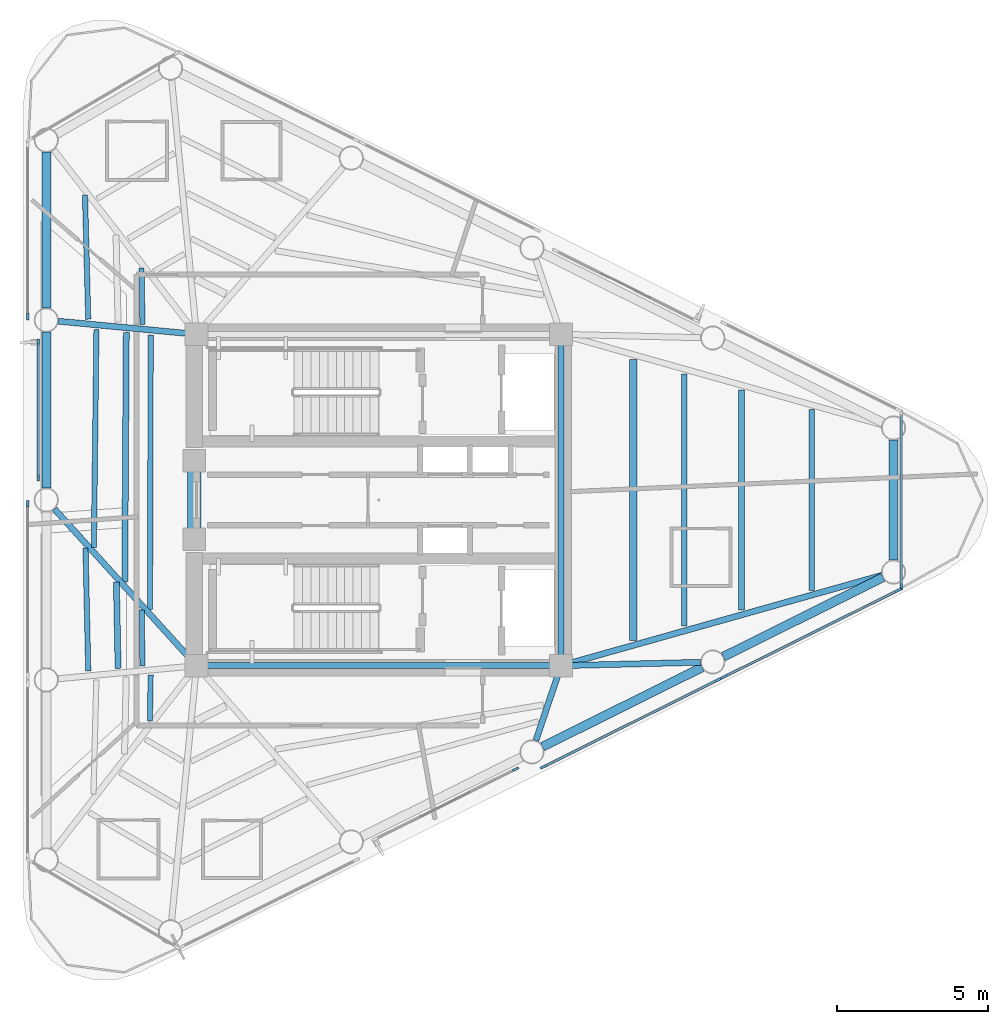
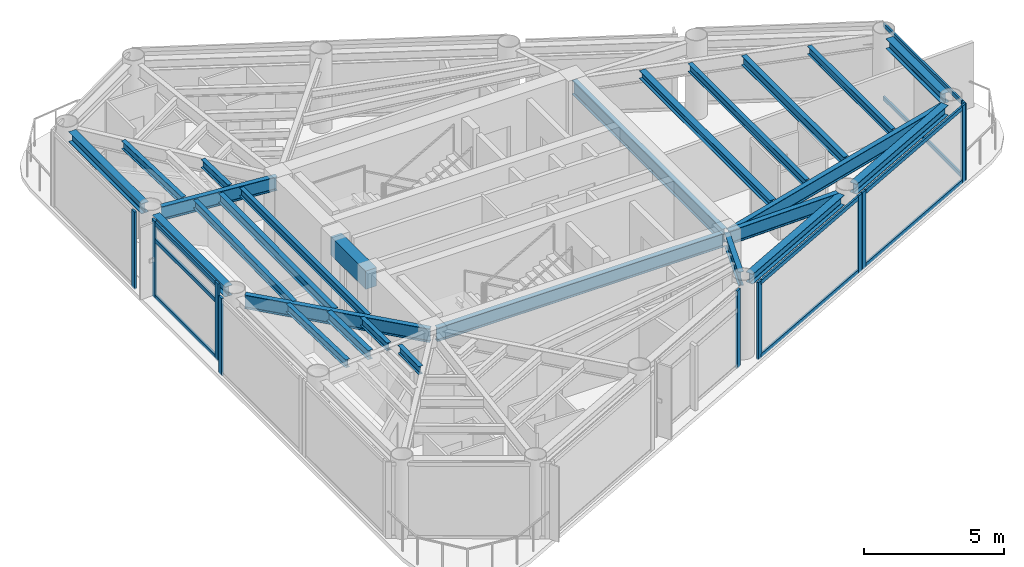
# One storey, part 2 of 10: 26 beams, 19 members, 7 elements without a shape of their own.
"""IFC4 building model written with IfcOpenShell, lengths in metres."""

from ifc_helpers import new_model, si_unit, direction, frame, origin, origin_2d, place, context, subcontext, project, spatial, rectangle, i_section, extrude, source, transform, mapped, material, layer, layer_set, material_profile, profile_set, type_object, element, aggregate, save


model = new_model("IFC4")

# Units and contexts
model_context = context("Model", 3, precision=1e-05, world=origin(), true_north=direction((0.0, 1.0)))
body_context = subcontext(model_context, "Body", "Model", "MODEL_VIEW")
ifc_project = project(units=[si_unit("LENGTHUNIT", "METRE"), si_unit("AREAUNIT", "SQUARE_METRE"), si_unit("VOLUMEUNIT", "CUBIC_METRE"), si_unit("PLANEANGLEUNIT", "RADIAN"), si_unit("MASSUNIT", "GRAM", prefix="KILO")], contexts=[model_context])

# Site, building, storey
site_placement = place(None, origin())
site = spatial("IfcSite", under=ifc_project, at=site_placement, CompositionType="ELEMENT")
building_placement = place(site_placement, origin())
building = spatial("IfcBuilding", under=site, at=building_placement, Name="Yunling Apex Tower", CompositionType="ELEMENT")
storey_placement = place(building_placement, frame((0.0, 0.0, 300.199951171875)))
storey = spatial("IfcBuildingStorey", under=building, at=storey_placement, Name="L73", CompositionType="ELEMENT", Elevation=300.199951171875)

# Beams
ifc_material_1 = material(Name="Concrete C40", Category="concrete")
ifc_material_profile_1 = material_profile(ifc_material_1, rectangle(XDim=0.449951171875, YDim=0.800048828125, at=origin_2d()))
ifc_profile_set_1 = profile_set([ifc_material_profile_1], Name="Concrete C40")
beam_type_1 = type_object("IfcBeamType", Name="BC-CPL-3", PredefinedType="BEAM", material=ifc_profile_set_1)
shared_shape_1 = source(origin(), body_context, "Body", "SweptSolid", [
    extrude(rectangle(XDim=0.449951171875, YDim=0.800048828125, at=origin_2d()), origin(), (0.0, 0.0, 1.0), 2.5),
])
beam_1_placement = place(storey_placement, frame((-6.125, -1.25, 2.8701171875), z_axis=(0.0, 1.0, 0.0), x_axis=(-1.0, 0.0, 0.0)))
element("IfcBeam", 1, at=beam_1_placement, inside=storey, type_object=beam_type_1, Name="L73 Core West Portal Coupling Beam", PredefinedType="BEAM", context=body_context, shape_type="MappedRepresentation", body=[
    mapped(shared_shape_1, transform((0.0, 0.0, 0.0), scale=1.0)),
])
ifc_material_2 = material(Name="Steel Q355B", Category="steel")
ifc_material_profile_2 = material_profile(ifc_material_2, i_section(OverallWidth=0.199951171875, OverallDepth=0.60009765625, WebThickness=0.010986328125, FlangeThickness=0.01708984375, FilletRadius=0.02197265625, at=origin_2d()))
ifc_profile_set_2 = profile_set([ifc_material_profile_2], Name="Steel Q355B")
beam_type_2 = type_object("IfcBeamType", Name="BG-PRI-5", PredefinedType="USERDEFINED", material=ifc_profile_set_2)
shared_shape_2 = source(origin(), body_context, "Body", "SweptSolid", [
    extrude(i_section(OverallWidth=0.199951171875, OverallDepth=0.60009765625, WebThickness=0.010986328125, FlangeThickness=0.01708984375, FilletRadius=0.02197265625, at=origin_2d()), origin(), (0.0, 0.0, 1.0), 11.7998046875),
])
beam_2_placement = place(storey_placement, frame((-5.89990234375, -5.5, 2.969970703125), z_axis=(1.0, 0.0, 0.0), x_axis=(0.0, 1.0, 0.0)))
element("IfcBeam", 2, at=beam_2_placement, inside=storey, type_object=beam_type_2, Name="L73 Core Ring Tie Beam 1", ObjectType="GIRDER", PredefinedType="USERDEFINED", context=body_context, shape_type="MappedRepresentation", body=[
    mapped(shared_shape_2, transform((0.0, 0.0, 0.0), scale=1.0)),
])
shared_shape_3 = source(origin(), body_context, "Body", "SweptSolid", [
    extrude(i_section(OverallWidth=0.199951171875, OverallDepth=0.60009765625, WebThickness=0.010986328125, FlangeThickness=0.01708984375, FilletRadius=0.02197265625, at=origin_2d()), origin(), (0.0, 0.0, 1.0), 10.7001953125),
])
beam_3_placement = place(storey_placement, frame((6.050048828125, -5.35009765625, 2.969970703125), z_axis=(0.0, 1.0, 0.0), x_axis=(-1.0, 0.0, 0.0)))
element("IfcBeam", 3, at=beam_3_placement, inside=storey, type_object=beam_type_2, Name="L73 Core Ring Tie Beam 2", ObjectType="GIRDER", PredefinedType="USERDEFINED", context=body_context, shape_type="MappedRepresentation", body=[
    mapped(shared_shape_3, transform((0.0, 0.0, 0.0), scale=1.0)),
])
ifc_material_profile_3 = material_profile(ifc_material_2, i_section(OverallWidth=0.300048828125, OverallDepth=0.43994140625, WebThickness=0.010986328125, FlangeThickness=0.01806640625, FilletRadius=0.02197265625, at=origin_2d()))
ifc_profile_set_3 = profile_set([ifc_material_profile_3], Name="Steel Q355B")
beam_type_3 = type_object("IfcBeamType", Name="BP-SPN-3", PredefinedType="SPANDREL", material=ifc_profile_set_3)
shared_shape_4 = source(origin(), body_context, "Body", "SweptSolid", [
    extrude(i_section(OverallWidth=0.300048828125, OverallDepth=0.43994140625, WebThickness=0.010986328125, FlangeThickness=0.01806640625, FilletRadius=0.02197265625, at=origin_2d()), origin(), (0.0, 0.0, 1.0), 5.9140625),
])
for number, where, z_axis, x_axis, name in (
    (4, (5.43896484375, -8.1884765625, 3.050048828125), (0.895259510924, 0.445545068539, 0.0), (-0.445545068539, 0.895259510924, 0.0), "L73 Perimeter Spandrel Beam 3"),
    (5, (11.439208984375, -5.2021484375, 3.050048828125), (0.895259510924, 0.445545068539, 0.0), (-0.445545068539, 0.895259510924, 0.0), "L73 Perimeter Spandrel Beam 4"),
):
    element("IfcBeam", number, at=place(storey_placement, frame(where, z_axis=z_axis, x_axis=x_axis)), inside=storey, type_object=beam_type_3, Name=name, PredefinedType="SPANDREL", context=body_context, shape_type="MappedRepresentation", body=[
        mapped(shared_shape_4, transform((0.0, 0.0, 0.0), scale=1.0)),
    ])
shared_shape_5 = source(origin(), body_context, "Body", "SweptSolid", [
    extrude(i_section(OverallWidth=0.300048828125, OverallDepth=0.43994140625, WebThickness=0.010986328125, FlangeThickness=0.01806640625, FilletRadius=0.02197265625, at=origin_2d()), origin(), (0.0, 0.0, 1.0), 3.9951171875),
])
beam_4_placement = place(storey_placement, frame((17.086669921875, -1.99755859375, 3.050048828125), z_axis=(0.0, 1.0, 0.0), x_axis=(-1.0, 0.0, 0.0)))
element("IfcBeam", 6, at=beam_4_placement, inside=storey, type_object=beam_type_3, Name="L73 Perimeter Spandrel Beam 5", PredefinedType="SPANDREL", context=body_context, shape_type="MappedRepresentation", body=[
    mapped(shared_shape_5, transform((0.0, 0.0, 0.0), scale=1.0)),
])
shared_shape_6 = source(origin(), body_context, "Body", "SweptSolid", [
    extrude(i_section(OverallWidth=0.300048828125, OverallDepth=0.43994140625, WebThickness=0.010986328125, FlangeThickness=0.01806640625, FilletRadius=0.02197265625, at=origin_2d()), origin(), (0.0, 0.0, 1.0), 5.1845703125),
])
for number, where, z_axis, x_axis, name in (
    (7, (-11.037353515625, 11.55126953125, 3.050048828125), (0.0, -1.0, 0.0), (1.0, 0.0, 0.0), "L73 Perimeter Spandrel Beam 11"),
    (8, (-11.037353515625, 5.57861328125, 3.050048828125), (0.0, -1.0, 0.0), (1.0, 0.0, 0.0), "L73 Perimeter Spandrel Beam 12"),
):
    element("IfcBeam", number, at=place(storey_placement, frame(where, z_axis=z_axis, x_axis=x_axis)), inside=storey, type_object=beam_type_3, Name=name, PredefinedType="SPANDREL", context=body_context, shape_type="MappedRepresentation", body=[
        mapped(shared_shape_6, transform((0.0, 0.0, 0.0), scale=1.0)),
    ])
shared_shape_7 = source(origin(), body_context, "Body", "SweptSolid", [
    extrude(i_section(OverallWidth=0.199951171875, OverallDepth=0.60009765625, WebThickness=0.010986328125, FlangeThickness=0.01708984375, FilletRadius=0.02197265625, at=origin_2d()), origin(), (0.0, 0.0, 1.0), 2.533935546875),
])
beam_5_placement = place(storey_placement, frame((5.21630859375, -7.977294921875, 2.969970703125), z_axis=(0.318914628896, 0.947783445454, 0.0), x_axis=(-0.947783445454, 0.318914628896, 0.0)))
element("IfcBeam", 9, at=beam_5_placement, inside=storey, type_object=beam_type_2, Name="L73 Radial Primary Girder R03", ObjectType="GIRDER", PredefinedType="USERDEFINED", context=body_context, shape_type="MappedRepresentation", body=[
    mapped(shared_shape_7, transform((0.0, 0.0, 0.0), scale=1.0)),
])
shared_shape_8 = source(origin(), body_context, "Body", "SweptSolid", [
    extrude(i_section(OverallWidth=0.199951171875, OverallDepth=0.60009765625, WebThickness=0.010986328125, FlangeThickness=0.01708984375, FilletRadius=0.02197265625, at=origin_2d()), origin(), (0.0, 0.0, 1.0), 4.5498046875),
])
beam_6_placement = place(storey_placement, frame((10.678466796875, -5.3876953125, 2.969970703125), z_axis=(-0.999705840498, -0.024253504369, 0.0), x_axis=(0.024253504369, -0.999705840498, 0.0)))
element("IfcBeam", 10, at=beam_6_placement, inside=storey, type_object=beam_type_2, Name="L73 Radial Primary Girder R04", ObjectType="GIRDER", PredefinedType="USERDEFINED", context=body_context, shape_type="MappedRepresentation", body=[
    mapped(shared_shape_8, transform((0.0, 0.0, 0.0), scale=1.0)),
])
shared_shape_9 = source(origin(), body_context, "Body", "SweptSolid", [
    extrude(i_section(OverallWidth=0.199951171875, OverallDepth=0.60009765625, WebThickness=0.010986328125, FlangeThickness=0.01708984375, FilletRadius=0.02197265625, at=origin_2d()), origin(), (0.0, 0.0, 1.0), 10.97802734375),
])
beam_7_placement = place(storey_placement, frame((16.69384765625, -2.502197265625, 2.969970703125), z_axis=(-0.962552702816, -0.271094622414, 0.0), x_axis=(0.271094622414, -0.962552702816, 0.0)))
element("IfcBeam", 11, at=beam_7_placement, inside=storey, type_object=beam_type_2, Name="L73 Radial Primary Girder R05", ObjectType="GIRDER", PredefinedType="USERDEFINED", context=body_context, shape_type="MappedRepresentation", body=[
    mapped(shared_shape_9, transform((0.0, 0.0, 0.0), scale=1.0)),
])
shared_shape_10 = source(origin(), body_context, "Body", "SweptSolid", [
    extrude(i_section(OverallWidth=0.199951171875, OverallDepth=0.60009765625, WebThickness=0.010986328125, FlangeThickness=0.01708984375, FilletRadius=0.02197265625, at=origin_2d()), origin(), (0.0, 0.0, 1.0), 4.521728515625),
])
beam_8_placement = place(storey_placement, frame((-10.631103515625, 5.93408203125, 2.969970703125), z_axis=(0.99554122067, -0.094327503661, 0.0), x_axis=(0.094327503661, 0.99554122067, 0.0)))
element("IfcBeam", 12, at=beam_8_placement, inside=storey, type_object=beam_type_2, Name="L73 Radial Primary Girder R12", ObjectType="GIRDER", PredefinedType="USERDEFINED", context=body_context, shape_type="MappedRepresentation", body=[
    mapped(shared_shape_10, transform((0.0, 0.0, 0.0), scale=1.0)),
])
shared_shape_11 = source(origin(), body_context, "Body", "SweptSolid", [
    extrude(i_section(OverallWidth=0.199951171875, OverallDepth=0.60009765625, WebThickness=0.010986328125, FlangeThickness=0.01708984375, FilletRadius=0.02197265625, at=origin_2d()), origin(), (0.0, 0.0, 1.0), 6.9365234375),
])
beam_9_placement = place(storey_placement, frame((-10.76318359375, -0.30224609375, 2.969970703125), z_axis=(0.671734994532, -0.740791534185, 0.0), x_axis=(0.740791534185, 0.671734994532, 0.0)))
element("IfcBeam", 13, at=beam_9_placement, inside=storey, type_object=beam_type_2, Name="L73 Radial Primary Girder R13", ObjectType="GIRDER", PredefinedType="USERDEFINED", context=body_context, shape_type="MappedRepresentation", body=[
    mapped(shared_shape_11, transform((0.0, 0.0, 0.0), scale=1.0)),
])
ifc_material_profile_4 = material_profile(ifc_material_2, i_section(OverallWidth=0.199951171875, OverallDepth=0.39990234375, WebThickness=0.008056640625, FlangeThickness=0.012939453125, FilletRadius=0.01611328125, at=origin_2d()))
ifc_profile_set_4 = profile_set([ifc_material_profile_4], Name="Steel Q355B")
beam_type_4 = type_object("IfcBeamType", Name="BS-SEC-4", PredefinedType="BEAM", material=ifc_profile_set_4)
shared_shape_12 = source(origin(), body_context, "Body", "SweptSolid", [
    extrude(i_section(OverallWidth=0.199951171875, OverallDepth=0.39990234375, WebThickness=0.008056640625, FlangeThickness=0.012939453125, FilletRadius=0.01611328125, at=origin_2d()), origin(), (0.0, 0.0, 1.0), 7.30322265625),
])
beam_10_placement = place(storey_placement, frame((12.04443359375, -3.651611328125, 3.070068359375), z_axis=(0.0, 1.0, 0.0), x_axis=(-1.0, 0.0, 0.0)))
element("IfcBeam", 14, at=beam_10_placement, inside=storey, type_object=beam_type_4, Name="L73 Composite Floor Beam BS-5", PredefinedType="BEAM", context=body_context, shape_type="MappedRepresentation", body=[
    mapped(shared_shape_12, transform((0.0, 0.0, 0.0), scale=1.0)),
])
ifc_material_profile_5 = material_profile(ifc_material_2, i_section(OverallWidth=0.175048828125, OverallDepth=0.35009765625, WebThickness=0.007080078125, FlangeThickness=0.010986328125, FilletRadius=0.013916015625, at=origin_2d()))
ifc_profile_set_5 = profile_set([ifc_material_profile_5], Name="Steel Q355B")
beam_type_5 = type_object("IfcBeamType", Name="BJ-JST-1", PredefinedType="JOIST", material=ifc_profile_set_5)
shared_shape_13 = source(origin(), body_context, "Body", "SweptSolid", [
    extrude(i_section(OverallWidth=0.175048828125, OverallDepth=0.35009765625, WebThickness=0.007080078125, FlangeThickness=0.010986328125, FilletRadius=0.013916015625, at=origin_2d()), origin(), (0.0, 0.0, 1.0), 5.99365234375),
])
beam_11_placement = place(storey_placement, frame((14.369140625, -2.996826171875, 3.094970703125), z_axis=(0.0, 1.0, 0.0), x_axis=(-1.0, 0.0, 0.0)))
element("IfcBeam", 15, at=beam_11_placement, inside=storey, type_object=beam_type_5, Name="L73 Composite Floor Joist BJ1-5", PredefinedType="JOIST", context=body_context, shape_type="MappedRepresentation", body=[
    mapped(shared_shape_13, transform((0.0, 0.0, 0.0), scale=1.0)),
])
shared_shape_14 = source(origin(), body_context, "Body", "SweptSolid", [
    extrude(i_section(OverallWidth=0.175048828125, OverallDepth=0.35009765625, WebThickness=0.007080078125, FlangeThickness=0.010986328125, FilletRadius=0.013916015625, at=origin_2d()), origin(), (0.0, 0.0, 1.0), 8.37451171875),
])
beam_12_placement = place(storey_placement, frame((10.142333984375, -4.187255859375, 3.094970703125), z_axis=(0.0, 1.0, 0.0), x_axis=(-1.0, 0.0, 0.0)))
element("IfcBeam", 16, at=beam_12_placement, inside=storey, type_object=beam_type_5, Name="L73 Composite Floor Joist BJ3-5", PredefinedType="JOIST", context=body_context, shape_type="MappedRepresentation", body=[
    mapped(shared_shape_14, transform((0.0, 0.0, 0.0), scale=1.0)),
])
ifc_material_profile_6 = material_profile(ifc_material_2, i_section(OverallWidth=0.25, OverallDepth=0.340087890625, WebThickness=0.009033203125, FlangeThickness=0.013916015625, FilletRadius=0.01806640625, at=origin_2d()))
ifc_profile_set_6 = profile_set([ifc_material_profile_6], Name="Steel Q355B")
beam_type_6 = type_object("IfcBeamType", Name="BJ-JST-2", PredefinedType="JOIST", material=ifc_profile_set_6)
shared_shape_15 = source(origin(), body_context, "Body", "SweptSolid", [
    extrude(i_section(OverallWidth=0.25, OverallDepth=0.340087890625, WebThickness=0.009033203125, FlangeThickness=0.013916015625, FilletRadius=0.01806640625, at=origin_2d()), origin(), (0.0, 0.0, 1.0), 9.3271484375),
])
beam_13_placement = place(storey_placement, frame((8.45166015625, -4.66357421875, 3.10009765625), z_axis=(0.0, 1.0, 0.0), x_axis=(-1.0, 0.0, 0.0)))
element("IfcBeam", 17, at=beam_13_placement, inside=storey, type_object=beam_type_6, Name="L73 Composite Floor Joist BJ2-5", PredefinedType="JOIST", context=body_context, shape_type="MappedRepresentation", body=[
    mapped(shared_shape_15, transform((0.0, 0.0, 0.0), scale=1.0)),
])
shared_shape_16 = source(origin(), body_context, "Body", "SweptSolid", [
    extrude(i_section(OverallWidth=0.175048828125, OverallDepth=0.35009765625, WebThickness=0.007080078125, FlangeThickness=0.010986328125, FilletRadius=0.013916015625, at=origin_2d()), origin(), (0.0, 0.0, 1.0), 4.130859375),
])
beam_14_placement = place(storey_placement, frame((-9.751953125, 10.129638671875, 3.094970703125), z_axis=(0.025887029391, -0.9996648747, 0.0), x_axis=(0.9996648747, 0.025887029391, 0.0)))
element("IfcBeam", 18, at=beam_14_placement, inside=storey, type_object=beam_type_5, Name="L73 Composite Floor Joist BJ1-11", PredefinedType="JOIST", context=body_context, shape_type="MappedRepresentation", body=[
    mapped(shared_shape_16, transform((0.0, 0.0, 0.0), scale=1.0)),
])
shared_shape_17 = source(origin(), body_context, "Body", "SweptSolid", [
    extrude(i_section(OverallWidth=0.175048828125, OverallDepth=0.35009765625, WebThickness=0.007080078125, FlangeThickness=0.010986328125, FilletRadius=0.013916015625, at=origin_2d()), origin(), (0.0, 0.0, 1.0), 1.87646484375),
])
beam_15_placement = place(storey_placement, frame((-7.877685546875, 7.705810546875, 3.094970703125), z_axis=(0.01847440018, -0.999829333705, 0.0), x_axis=(0.999829333705, 0.01847440018, 0.0)))
element("IfcBeam", 19, at=beam_15_placement, inside=storey, type_object=beam_type_5, Name="L73 Composite Floor Joist BJ3-11", PredefinedType="JOIST", context=body_context, shape_type="MappedRepresentation", body=[
    mapped(shared_shape_17, transform((0.0, 0.0, 0.0), scale=1.0)),
])
shared_shape_18 = source(origin(), body_context, "Body", "SweptSolid", [
    extrude(i_section(OverallWidth=0.199951171875, OverallDepth=0.39990234375, WebThickness=0.008056640625, FlangeThickness=0.012939453125, FilletRadius=0.01611328125, at=origin_2d()), origin(), (0.0, 0.0, 1.0), 8.2724609375),
])
beam_16_placement = place(storey_placement, frame((-8.38134765625, 5.560791015625, 3.070068359375), z_axis=(-0.006197679272, -0.999980794201, 0.0), x_axis=(0.999980794201, -0.006197679272, 0.0)))
element("IfcBeam", 20, at=beam_16_placement, inside=storey, type_object=beam_type_4, Name="L73 Composite Floor Beam BS-12", PredefinedType="BEAM", context=body_context, shape_type="MappedRepresentation", body=[
    mapped(shared_shape_18, transform((0.0, 0.0, 0.0), scale=1.0)),
])
shared_shape_19 = source(origin(), body_context, "Body", "SweptSolid", [
    extrude(i_section(OverallWidth=0.175048828125, OverallDepth=0.35009765625, WebThickness=0.007080078125, FlangeThickness=0.010986328125, FilletRadius=0.013916015625, at=origin_2d()), origin(), (0.0, 0.0, 1.0), 7.236328125),
])
beam_17_placement = place(storey_placement, frame((-9.37255859375, 5.65478515625, 3.094970703125), z_axis=(-0.011639673006, -0.999932256712, 0.0), x_axis=(0.999932256712, -0.011639673006, 0.0)))
element("IfcBeam", 21, at=beam_17_placement, inside=storey, type_object=beam_type_5, Name="L73 Composite Floor Joist BJ1-12", PredefinedType="JOIST", context=body_context, shape_type="MappedRepresentation", body=[
    mapped(shared_shape_19, transform((0.0, 0.0, 0.0), scale=1.0)),
])
shared_shape_20 = source(origin(), body_context, "Body", "SweptSolid", [
    extrude(i_section(OverallWidth=0.175048828125, OverallDepth=0.35009765625, WebThickness=0.007080078125, FlangeThickness=0.010986328125, FilletRadius=0.013916015625, at=origin_2d()), origin(), (0.0, 0.0, 1.0), 9.120361328125),
])
beam_18_placement = place(storey_placement, frame((-7.570556640625, 5.48388671875, 3.094970703125), z_axis=(-0.002596559494, -0.999996628934, 0.0), x_axis=(0.999996628934, -0.002596559494, 0.0)))
element("IfcBeam", 22, at=beam_18_placement, inside=storey, type_object=beam_type_5, Name="L73 Composite Floor Joist BJ3-12", PredefinedType="JOIST", context=body_context, shape_type="MappedRepresentation", body=[
    mapped(shared_shape_20, transform((0.0, 0.0, 0.0), scale=1.0)),
])
shared_shape_21 = source(origin(), body_context, "Body", "SweptSolid", [
    extrude(i_section(OverallWidth=0.199951171875, OverallDepth=0.39990234375, WebThickness=0.008056640625, FlangeThickness=0.012939453125, FilletRadius=0.01611328125, at=origin_2d()), origin(), (0.0, 0.0, 1.0), 2.86376953125),
])
beam_19_placement = place(storey_placement, frame((-8.7099609375, -2.72314453125, 3.070068359375), z_axis=(0.019692633422, -0.999806081292, 0.0), x_axis=(0.999806081292, 0.019692633422, 0.0)))
element("IfcBeam", 23, at=beam_19_placement, inside=storey, type_object=beam_type_4, Name="L73 Composite Floor Beam BS-13", PredefinedType="BEAM", context=body_context, shape_type="MappedRepresentation", body=[
    mapped(shared_shape_21, transform((0.0, 0.0, 0.0), scale=1.0)),
])
shared_shape_22 = source(origin(), body_context, "Body", "SweptSolid", [
    extrude(i_section(OverallWidth=0.175048828125, OverallDepth=0.35009765625, WebThickness=0.007080078125, FlangeThickness=0.010986328125, FilletRadius=0.013916015625, at=origin_2d()), origin(), (0.0, 0.0, 1.0), 4.0888671875),
])
beam_20_placement = place(storey_placement, frame((-9.734619140625, -1.592529296875, 3.094970703125), z_axis=(0.022092074649, -0.999755940336, 0.0), x_axis=(0.999755940336, 0.022092074649, 0.0)))
element("IfcBeam", 24, at=beam_20_placement, inside=storey, type_object=beam_type_5, Name="L73 Composite Floor Joist BJ1-13", PredefinedType="JOIST", context=body_context, shape_type="MappedRepresentation", body=[
    mapped(shared_shape_22, transform((0.0, 0.0, 0.0), scale=1.0)),
])
shared_shape_23 = source(origin(), body_context, "Body", "SweptSolid", [
    extrude(i_section(OverallWidth=0.175048828125, OverallDepth=0.35009765625, WebThickness=0.007080078125, FlangeThickness=0.010986328125, FilletRadius=0.013916015625, at=origin_2d()), origin(), (0.0, 0.0, 1.0), 1.861572265625),
])
beam_21_placement = place(storey_placement, frame((-7.871826171875, -3.648193359375, 3.094970703125), z_axis=(0.015606703404, -0.999878207988, 0.0), x_axis=(0.999878207988, 0.015606703404, 0.0)))
element("IfcBeam", 25, at=beam_21_placement, inside=storey, type_object=beam_type_5, Name="L73 Composite Floor Joist BJ3-13", PredefinedType="JOIST", context=body_context, shape_type="MappedRepresentation", body=[
    mapped(shared_shape_23, transform((0.0, 0.0, 0.0), scale=1.0)),
])
shared_shape_24 = source(origin(), body_context, "Body", "SweptSolid", [
    extrude(i_section(OverallWidth=0.175048828125, OverallDepth=0.35009765625, WebThickness=0.007080078125, FlangeThickness=0.010986328125, FilletRadius=0.013916015625, at=origin_2d()), origin(), (0.0, 0.0, 1.0), 1.53857421875),
])
beam_22_placement = place(storey_placement, frame((-7.572509765625, -5.803955078125, 3.094970703125), z_axis=(-0.015709852828, -0.999876592647, 0.0), x_axis=(0.999876592647, -0.015709852828, 0.0)))
element("IfcBeam", 26, at=beam_22_placement, inside=storey, type_object=beam_type_5, Name="L73 Composite Floor Joist BJ3-14", PredefinedType="JOIST", context=body_context, shape_type="MappedRepresentation", body=[
    mapped(shared_shape_24, transform((0.0, 0.0, 0.0), scale=1.0)),
])

# Curtain wall, members
ifc_material_3 = material(Name="Bronze anodised aluminium", Category="aluminium")
ifc_layer = layer(ifc_material_3, 0.219970703125)
ifc_layer_set = layer_set([ifc_layer], Name="Bronze anodised aluminium")
curtain_wall_type = type_object("IfcCurtainWallType", Name="CW-SYS-4", PredefinedType="NOTDEFINED", material=ifc_layer_set)
curtain_wall_1_placement = place(storey_placement, origin())
curtain_wall_1 = element("IfcCurtainWall", 27, at=curtain_wall_1_placement, inside=storey, type_object=curtain_wall_type, Name="CW-L73-F1-B3", PredefinedType="NOTDEFINED")
ifc_material_profile_7 = material_profile(ifc_material_3, rectangle(XDim=0.080078125, YDim=0.169921875, at=origin_2d()))
ifc_profile_set_7 = profile_set([ifc_material_profile_7], Name="Bronze anodised aluminium")
member_type_1 = type_object("IfcMemberType", Name="CW-TRN-4", PredefinedType="USERDEFINED", material=ifc_profile_set_7)
shared_shape_25 = source(origin(), body_context, "Body", "SweptSolid", [
    extrude(rectangle(XDim=0.080078125, YDim=0.169921875, at=origin_2d()), origin(), (0.0, 0.0, 1.0), 6.39013671875),
])
member_1_placement = place(storey_placement, frame((5.497802734375, -8.8408203125, 0.0400390625), z_axis=(0.895235684646, 0.445592940851, 0.0), x_axis=(-0.445592940851, 0.895235684646, 0.0)))
member_1 = element("IfcMember", 28, at=member_1_placement, type_object=member_type_1, Name="CW-SYS-4 transom 1.1", ObjectType="TRANSOM", PredefinedType="USERDEFINED", context=body_context, shape_type="MappedRepresentation", body=[
    mapped(shared_shape_25, transform((0.0, 0.0, 0.0), scale=1.0)),
])
member_2_placement = place(storey_placement, frame((5.497802734375, -8.8408203125, 3.22998046875), z_axis=(0.895235684646, 0.445592940851, 0.0), x_axis=(-0.445592940851, 0.895235684646, 0.0)))
member_2 = element("IfcMember", 29, at=member_2_placement, type_object=member_type_1, Name="CW-SYS-4 transom 1.2", ObjectType="TRANSOM", PredefinedType="USERDEFINED", context=body_context, shape_type="MappedRepresentation", body=[
    mapped(shared_shape_25, transform((0.0, 0.0, 0.0), scale=1.0)),
])

curtain_wall_2_placement = place(storey_placement, origin())
curtain_wall_2 = element("IfcCurtainWall", 30, at=curtain_wall_2_placement, inside=storey, type_object=curtain_wall_type, Name="CW-L73-F1-B4", PredefinedType="NOTDEFINED")
shared_shape_26 = source(origin(), body_context, "Body", "SweptSolid", [
    extrude(rectangle(XDim=0.080078125, YDim=0.169921875, at=origin_2d()), origin(), (0.0, 0.0, 1.0), 6.390380859375),
])
member_3_placement = place(storey_placement, frame((11.497802734375, -5.854248046875, 0.0400390625), z_axis=(0.895258509594, 0.445547080565, 0.0), x_axis=(-0.445547080565, 0.895258509594, 0.0)))
member_3 = element("IfcMember", 31, at=member_3_placement, type_object=member_type_1, Name="CW-SYS-4 transom 1.1", ObjectType="TRANSOM", PredefinedType="USERDEFINED", context=body_context, shape_type="MappedRepresentation", body=[
    mapped(shared_shape_26, transform((0.0, 0.0, 0.0), scale=1.0)),
])
member_4_placement = place(storey_placement, frame((11.497802734375, -5.854248046875, 3.22998046875), z_axis=(0.895258509594, 0.445547080565, 0.0), x_axis=(-0.445547080565, 0.895258509594, 0.0)))
member_4 = element("IfcMember", 32, at=member_4_placement, type_object=member_type_1, Name="CW-SYS-4 transom 1.2", ObjectType="TRANSOM", PredefinedType="USERDEFINED", context=body_context, shape_type="MappedRepresentation", body=[
    mapped(shared_shape_26, transform((0.0, 0.0, 0.0), scale=1.0)),
])

curtain_wall_3_placement = place(storey_placement, origin())
curtain_wall_3 = element("IfcCurtainWall", 33, at=curtain_wall_3_placement, inside=storey, type_object=curtain_wall_type, Name="CW-L73-CRN1", PredefinedType="NOTDEFINED")
shared_shape_27 = source(origin(), body_context, "Body", "SweptSolid", [
    extrude(rectangle(XDim=0.080078125, YDim=0.169921875, at=origin_2d()), origin(), (0.0, 0.0, 1.0), 5.6875),
])
member_5_placement = place(storey_placement, frame((17.349365234375, -2.84375, 0.0400390625), z_axis=(0.0, 1.0, 0.0), x_axis=(-1.0, 0.0, 0.0)))
member_5 = element("IfcMember", 34, at=member_5_placement, type_object=member_type_1, Name="CW-SYS-4 transom 1.1", ObjectType="TRANSOM", PredefinedType="USERDEFINED", context=body_context, shape_type="MappedRepresentation", body=[
    mapped(shared_shape_27, transform((0.0, 0.0, 0.0), scale=1.0)),
])
member_6_placement = place(storey_placement, frame((17.349365234375, -2.84375, 3.22998046875), z_axis=(0.0, 1.0, 0.0), x_axis=(-1.0, 0.0, 0.0)))
member_6 = element("IfcMember", 35, at=member_6_placement, type_object=member_type_1, Name="CW-SYS-4 transom 1.2", ObjectType="TRANSOM", PredefinedType="USERDEFINED", context=body_context, shape_type="MappedRepresentation", body=[
    mapped(shared_shape_27, transform((0.0, 0.0, 0.0), scale=1.0)),
])

curtain_wall_4_placement = place(storey_placement, origin())
curtain_wall_4 = element("IfcCurtainWall", 36, at=curtain_wall_4_placement, inside=storey, type_object=curtain_wall_type, Name="CW-L73-F3-B2", PredefinedType="NOTDEFINED")
shared_shape_28 = source(origin(), body_context, "Body", "SweptSolid", [
    extrude(rectangle(XDim=0.080078125, YDim=0.169921875, at=origin_2d()), origin(), (0.0, 0.0, 1.0), 4.420654296875),
])
member_7_placement = place(storey_placement, frame((-11.307373046875, 5.196533203125, 0.0400390625), z_axis=(0.0, -1.0, 0.0), x_axis=(1.0, 0.0, 0.0)))
member_7 = element("IfcMember", 37, at=member_7_placement, type_object=member_type_1, Name="CW-SYS-4 transom 1.1", ObjectType="TRANSOM", PredefinedType="USERDEFINED", context=body_context, shape_type="MappedRepresentation", body=[
    mapped(shared_shape_28, transform((0.0, 0.0, 0.0), scale=1.0)),
])
member_8_placement = place(storey_placement, frame((-11.307373046875, 5.196533203125, 2.4853515625), z_axis=(0.0, -1.0, 0.0), x_axis=(1.0, 0.0, 0.0)))
member_8 = element("IfcMember", 38, at=member_8_placement, type_object=member_type_1, Name="CW-SYS-4 transom 1.2", ObjectType="TRANSOM", PredefinedType="USERDEFINED", context=body_context, shape_type="MappedRepresentation", body=[
    mapped(shared_shape_28, transform((0.0, 0.0, 0.0), scale=1.0)),
])
member_9_placement = place(storey_placement, frame((-11.307373046875, 5.196533203125, 3.22998046875), z_axis=(0.0, -1.0, 0.0), x_axis=(1.0, 0.0, 0.0)))
member_9 = element("IfcMember", 39, at=member_9_placement, type_object=member_type_1, Name="CW-SYS-4 transom 1.3", ObjectType="TRANSOM", PredefinedType="USERDEFINED", context=body_context, shape_type="MappedRepresentation", body=[
    mapped(shared_shape_28, transform((0.0, 0.0, 0.0), scale=1.0)),
])

# Curtain wall, member
curtain_wall_5_placement = place(storey_placement, origin())
curtain_wall_5 = element("IfcCurtainWall", 40, at=curtain_wall_5_placement, inside=storey, type_object=curtain_wall_type, Name="CW-L73-F1-B2", PredefinedType="NOTDEFINED")
ifc_material_profile_8 = material_profile(ifc_material_3, rectangle(XDim=0.080078125, YDim=0.219970703125, at=origin_2d()))
ifc_profile_set_8 = profile_set([ifc_material_profile_8], Name="Bronze anodised aluminium")
member_type_2 = type_object("IfcMemberType", Name="CW-MUL-4", PredefinedType="MULLION", material=ifc_profile_set_8)
shared_shape_29 = source(origin(), body_context, "Body", "SweptSolid", [
    extrude(rectangle(XDim=0.080078125, YDim=0.219970703125, at=origin_2d()), origin(), (0.0, 0.0, 1.0), 3.3701171875),
])
member_10_placement = place(storey_placement, frame((4.544189453125, -8.935546875, -0.050048828125), z_axis=(0.0, 0.0, 1.0), x_axis=(-0.445560721723, 0.895251720611, 0.0)))
member_10 = element("IfcMember", 41, at=member_10_placement, type_object=member_type_2, Name="CW-SYS-4 mullion 2", PredefinedType="MULLION", context=body_context, shape_type="MappedRepresentation", body=[
    mapped(shared_shape_29, transform((0.0, 0.0, 0.0), scale=1.0)),
])
aggregate(curtain_wall_5, [member_10])

# Member
member_11_placement = place(storey_placement, frame((5.465576171875, -8.856689453125, -0.050048828125), z_axis=(0.0, 0.0, 1.0), x_axis=(-0.445580385698, 0.895241933715, 0.0)))
member_11 = element("IfcMember", 42, at=member_11_placement, type_object=member_type_2, Name="CW-SYS-4 mullion 1", PredefinedType="MULLION", context=body_context, shape_type="MappedRepresentation", body=[
    mapped(shared_shape_29, transform((0.0, 0.0, 0.0), scale=1.0)),
])

member_12_placement = place(storey_placement, frame((11.250732421875, -5.977294921875, -0.050048828125), z_axis=(0.0, 0.0, 1.0), x_axis=(-0.445580385698, 0.895241933715, 0.0)))
member_12 = element("IfcMember", 43, at=member_12_placement, type_object=member_type_2, Name="CW-SYS-4 mullion 2", PredefinedType="MULLION", context=body_context, shape_type="MappedRepresentation", body=[
    mapped(shared_shape_29, transform((0.0, 0.0, 0.0), scale=1.0)),
])

aggregate(curtain_wall_1, [member_11, member_12, member_1, member_2])

member_13_placement = place(storey_placement, frame((11.465576171875, -5.870361328125, -0.050048828125), z_axis=(0.0, 0.0, 1.0), x_axis=(-0.445568135078, 0.895248030996, 0.0)))
member_13 = element("IfcMember", 44, at=member_13_placement, type_object=member_type_2, Name="CW-SYS-4 mullion 1", PredefinedType="MULLION", context=body_context, shape_type="MappedRepresentation", body=[
    mapped(shared_shape_29, transform((0.0, 0.0, 0.0), scale=1.0)),
])

member_14_placement = place(storey_placement, frame((17.2509765625, -2.990966796875, -0.050048828125), z_axis=(0.0, 0.0, 1.0), x_axis=(-0.445568135078, 0.895248030996, 0.0)))
member_14 = element("IfcMember", 45, at=member_14_placement, type_object=member_type_2, Name="CW-SYS-4 mullion 2", PredefinedType="MULLION", context=body_context, shape_type="MappedRepresentation", body=[
    mapped(shared_shape_29, transform((0.0, 0.0, 0.0), scale=1.0)),
])

aggregate(curtain_wall_2, [member_13, member_14, member_3, member_4])

member_15_placement = place(storey_placement, frame((17.349365234375, -2.879638671875, -0.050048828125), z_axis=(0.0, 0.0, 1.0), x_axis=(-1.0, 0.0, 0.0)))
member_15 = element("IfcMember", 46, at=member_15_placement, type_object=member_type_2, Name="CW-SYS-4 mullion 1", PredefinedType="MULLION", context=body_context, shape_type="MappedRepresentation", body=[
    mapped(shared_shape_29, transform((0.0, 0.0, 0.0), scale=1.0)),
])

aggregate(curtain_wall_3, [member_15, member_5, member_6])

# Curtain wall, member
curtain_wall_6_placement = place(storey_placement, origin())
curtain_wall_6 = element("IfcCurtainWall", 47, at=curtain_wall_6_placement, inside=storey, type_object=curtain_wall_type, Name="CW-L73-F3-B1", PredefinedType="NOTDEFINED")
member_16_placement = place(storey_placement, frame((-11.647216796875, 6.092529296875, -0.050048828125), z_axis=(0.0, 0.0, 1.0), x_axis=(1.0, 0.0, 0.0)))
member_16 = element("IfcMember", 48, at=member_16_placement, type_object=member_type_2, Name="CW-SYS-4 mullion 2", PredefinedType="MULLION", context=body_context, shape_type="MappedRepresentation", body=[
    mapped(shared_shape_29, transform((0.0, 0.0, 0.0), scale=1.0)),
])
aggregate(curtain_wall_6, [member_16])

# Member
member_17_placement = place(storey_placement, frame((-11.307373046875, 5.232666015625, -0.050048828125), z_axis=(0.0, 0.0, 1.0), x_axis=(1.0, 0.0, 0.0)))
member_17 = element("IfcMember", 49, at=member_17_placement, type_object=member_type_2, Name="CW-SYS-4 mullion 1", PredefinedType="MULLION", context=body_context, shape_type="MappedRepresentation", body=[
    mapped(shared_shape_29, transform((0.0, 0.0, 0.0), scale=1.0)),
])

member_18_placement = place(storey_placement, frame((-11.307373046875, 0.739990234375, -0.050048828125), z_axis=(0.0, 0.0, 1.0), x_axis=(1.0, 0.0, 0.0)))
member_18 = element("IfcMember", 50, at=member_18_placement, type_object=member_type_2, Name="CW-SYS-4 mullion 2", PredefinedType="MULLION", context=body_context, shape_type="MappedRepresentation", body=[
    mapped(shared_shape_29, transform((0.0, 0.0, 0.0), scale=1.0)),
])

aggregate(curtain_wall_4, [member_17, member_18, member_7, member_8, member_9])

# Curtain wall, member
curtain_wall_7_placement = place(storey_placement, origin())
curtain_wall_7 = element("IfcCurtainWall", 51, at=curtain_wall_7_placement, inside=storey, type_object=curtain_wall_type, Name="CW-L73-F3-B3", PredefinedType="NOTDEFINED")
member_19_placement = place(storey_placement, frame((-11.647216796875, -0.1201171875, -0.050048828125), z_axis=(0.0, 0.0, 1.0), x_axis=(1.0, 0.0, 0.0)))
member_19 = element("IfcMember", 52, at=member_19_placement, type_object=member_type_2, Name="CW-SYS-4 mullion 1", PredefinedType="MULLION", context=body_context, shape_type="MappedRepresentation", body=[
    mapped(shared_shape_29, transform((0.0, 0.0, 0.0), scale=1.0)),
])
aggregate(curtain_wall_7, [member_19])

save(model, "model.ifc")
